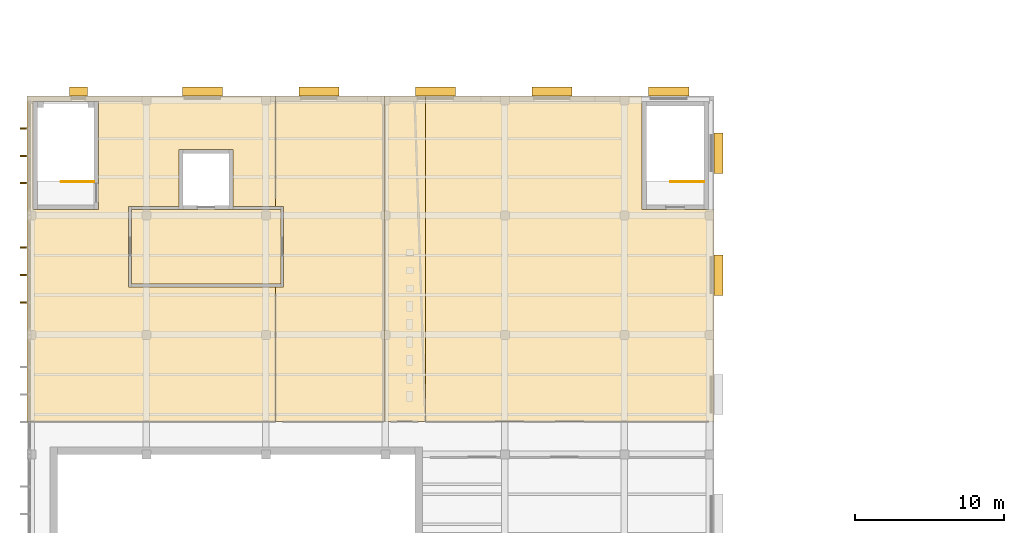
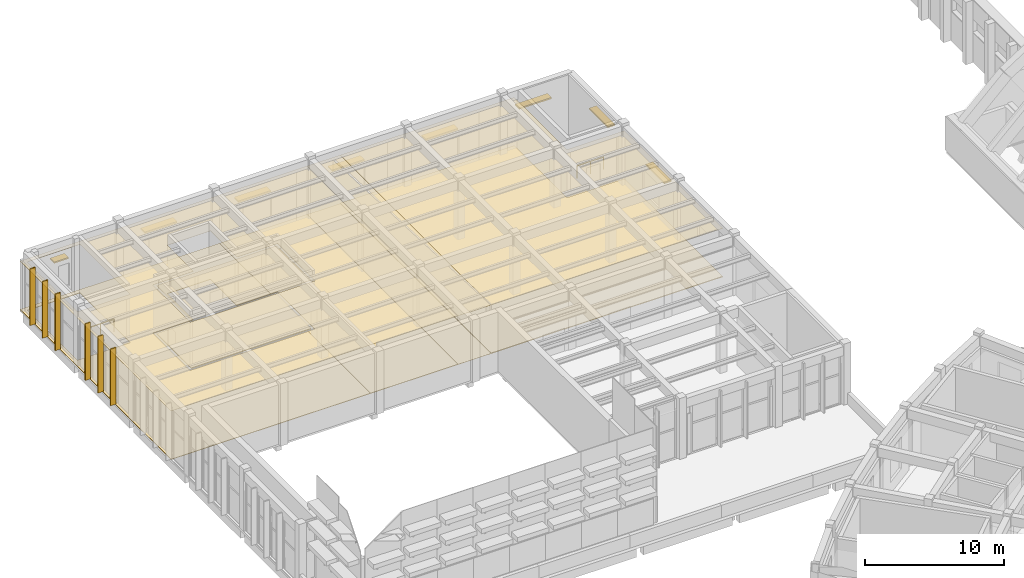
# One storey, part 87 of 94: 14 shading devices, 10 coverings, 2 railings.
"""IFC4 building model written with IfcOpenShell, lengths in metres."""

from ifc_helpers import new_model, si_unit, direction, frame, origin, origin_2d, place, context, subcontext, project, spatial, polyline, rectangle, circle, outline, extrude, material, layer, layer_set, type_object, element, save


model = new_model("IFC4")

# Units and contexts
model_context = context("Model", 3, precision=1e-05, world=origin(), true_north=direction((0.0, 1.0)))
body_context = subcontext(model_context, "Body", "Model", "MODEL_VIEW")
ifc_project = project(units=[si_unit("LENGTHUNIT", "METRE"), si_unit("AREAUNIT", "SQUARE_METRE"), si_unit("VOLUMEUNIT", "CUBIC_METRE"), si_unit("PLANEANGLEUNIT", "RADIAN"), si_unit("MASSUNIT", "GRAM", prefix="KILO")], contexts=[model_context])

# Site, building, storey
site_placement = place(None, origin())
site = spatial("IfcSite", under=ifc_project, at=site_placement, CompositionType="ELEMENT")
building_placement = place(site_placement, origin())
building = spatial("IfcBuilding", under=site, at=building_placement, Name="Lunette Opera House", CompositionType="ELEMENT")
storey_placement = place(building_placement, frame((0.0, 0.0, 22.5)))
storey = spatial("IfcBuildingStorey", under=building, at=storey_placement, Name="L04", CompositionType="ELEMENT", Elevation=22.5)

# Shading devices
ifc_material_1 = material(Name="Powder-coated aluminium", Category="aluminium")
shading_device_type_1 = type_object("IfcShadingDeviceType", Name="SOLAR FIN 100 X 450", PredefinedType="USERDEFINED", material=ifc_material_1)
for number, where, z_axis, x_axis, name in (
    (1, (7.76708984375, 109.80908203125, 0.115234375), (0.0, 0.0, 1.0), (-1.0, 0.0, 0.0), "Solar fin RW-X2061 1"),
    (2, (7.76708984375, 107.98291015625, 0.115234375), (0.0, 0.0, 1.0), (-1.0, 0.0, 0.0), "Solar fin RW-X2061 2"),
    (3, (7.76708984375, 106.156005859375, 0.115234375), (0.0, 0.0, 1.0), (-1.0, 0.0, 0.0), "Solar fin RW-X2061 3"),
    (4, (7.76708984375, 101.8349609375, 0.115234375), (0.0, 0.0, 1.0), (-1.0, 0.0, 0.0), "Solar fin RW-X2062 1"),
    (5, (7.76708984375, 100.0, 0.115234375), (0.0, 0.0, 1.0), (-1.0, 0.0, 0.0), "Solar fin RW-X2062 2"),
    (6, (7.76708984375, 98.1650390625, 0.115234375), (0.0, 0.0, 1.0), (-1.0, 0.0, 0.0), "Solar fin RW-X2062 3"),
):
    element("IfcShadingDevice", number, at=place(storey_placement, frame(where, z_axis=z_axis, x_axis=x_axis)), inside=storey, type_object=shading_device_type_1, Name=name, ObjectType="SOLAR FIN", PredefinedType="USERDEFINED", context=body_context, shape_type="SweptSolid", body=[
        extrude(rectangle(XDim=0.449951171875, YDim=0.10009765625, at=origin_2d()), origin(), (0.0, 0.0, 1.0), 4.985107421875),
    ])

# Railings
ifc_material_2 = material(Name="Steel S355", Category="steel")
railing_type = type_object("IfcRailingType", Name="STAIR GUARD 1100", PredefinedType="GUARDRAIL", material=ifc_material_2)
railing_1_placement = place(storey_placement, frame((12.5, 106.25, 0.0)))
element("IfcRailing", 7, at=railing_1_placement, inside=storey, type_object=railing_type, Name="L04 ST15 top well guard 1", PredefinedType="GUARDRAIL", context=body_context, shape_type="SweptSolid", body=[
    extrude(circle(Radius=0.02392578125, at=origin_2d()), frame((0.0, 0.0, 1.076171875), z_axis=(-1.0, 0.0, 0.0), x_axis=(0.0, -1.0, 0.0)), (0.0, 0.0, 1.0), 2.199951171875),
    extrude(circle(Radius=0.02099609375, at=origin_2d()), origin(), (0.0, 0.0, 1.0), 1.052001953125),
    extrude(circle(Radius=0.02099609375, at=origin_2d()), frame((-1.10009765625, 0.0, 0.0)), (0.0, 0.0, 1.0), 1.052001953125),
    extrude(circle(Radius=0.02099609375, at=origin_2d()), frame((-2.199951171875, 0.0, 0.0)), (0.0, 0.0, 1.0), 1.052001953125),
])
railing_2_placement = place(storey_placement, frame((53.3349609375, 106.25, 0.0)))
element("IfcRailing", 8, at=railing_2_placement, inside=storey, type_object=railing_type, Name="L04 ST17 top well guard 1", PredefinedType="GUARDRAIL", context=body_context, shape_type="SweptSolid", body=[
    extrude(circle(Radius=0.02392578125, at=origin_2d()), frame((0.0, 0.0, 1.076171875), z_axis=(-1.0, 0.0, 0.0), x_axis=(0.0, -1.0, 0.0)), (0.0, 0.0, 1.0), 2.23486328125),
    extrude(circle(Radius=0.02099609375, at=origin_2d()), origin(), (0.0, 0.0, 1.0), 1.052001953125),
    extrude(circle(Radius=0.02099609375, at=origin_2d()), frame((-1.117431640625, 0.0, 0.0)), (0.0, 0.0, 1.0), 1.052001953125),
    extrude(circle(Radius=0.02099609375, at=origin_2d()), frame((-2.23486328125, 0.0, 0.0)), (0.0, 0.0, 1.0), 1.052001953125),
])

# Coverings
ifc_material_3 = material(Name="Mineral fibre board")
ifc_layer_1 = layer(ifc_material_3, 0.014892578125)
ifc_layer_set_1 = layer_set([ifc_layer_1], Name="Mineral fibre board")
covering_type_1 = type_object("IfcCoveringType", Name="SUSPENDED ACOUSTIC CEILING 15", PredefinedType="CEILING", material=ifc_layer_set_1)
covering_1_placement = place(storey_placement, frame((0.0, 0.0, 4.284912109375)))
element("IfcCovering", 9, at=covering_1_placement, inside=storey, type_object=covering_type_1, Name="Ceiling Lift Lobby L04 Rehearsal", PredefinedType="CEILING", context=body_context, shape_type="SweptSolid", body=[
    extrude(outline(polyline([(25.0, 99.39990234375), (25.0, 104.39990234375), (15.0, 104.39990234375), (15.0, 99.39990234375), (25.0, 99.39990234375)])), origin(), (0.0, 0.0, 1.0), 0.01513671875),
])
covering_2_placement = place(storey_placement, frame((0.0, 0.0, 4.284912109375)))
element("IfcCovering", 10, at=covering_2_placement, inside=storey, type_object=covering_type_1, Name="Ceiling Ballet Studio 4", PredefinedType="CEILING", context=body_context, shape_type="SweptSolid", body=[
    extrude(outline(polyline([(8.0, 112.0), (24.634033203125, 112.0), (24.634033203125, 104.60009765625), (21.800048828125, 104.60009765625), (21.800048828125, 108.39990234375), (18.199951171875, 108.39990234375), (18.199951171875, 104.60009765625), (14.800048828125, 104.60009765625), (14.800048828125, 99.199951171875), (24.634033203125, 99.199951171875), (24.634033203125, 90.199951171875), (8.0, 90.199951171875), (8.0, 112.0)]), holes=[polyline([(8.39990234375, 104.39990234375), (12.800048828125, 104.39990234375), (12.800048828125, 111.635009765625), (8.39990234375, 111.635009765625), (8.39990234375, 104.39990234375)])]), origin(), (0.0, 0.0, 1.0), 0.01513671875),
])
covering_3_placement = place(storey_placement, frame((0.0, 0.0, 4.284912109375)))
element("IfcCovering", 11, at=covering_3_placement, inside=storey, type_object=covering_type_1, Name="Ceiling Chorus Master Rooms", PredefinedType="CEILING", context=body_context, shape_type="SweptSolid", body=[
    extrude(outline(polyline([(24.634033203125, 90.199951171875), (24.634033203125, 99.199951171875), (25.199951171875, 99.199951171875), (25.199951171875, 104.60009765625), (24.634033203125, 104.60009765625), (24.634033203125, 112.0), (31.930908203125, 112.0), (31.930908203125, 90.199951171875), (24.634033203125, 90.199951171875)])), origin(), (0.0, 0.0, 1.0), 0.01513671875),
])
covering_4_placement = place(storey_placement, frame((0.0, 0.0, 4.284912109375)))
element("IfcCovering", 12, at=covering_4_placement, inside=storey, type_object=covering_type_1, Name="Ceiling Rehearsal Wing WC L04", PredefinedType="CEILING", context=body_context, shape_type="SweptSolid", body=[
    extrude(outline(polyline([(31.930908203125, 90.199951171875), (31.930908203125, 112.0), (34.68408203125, 112.0), (34.68408203125, 90.199951171875), (31.930908203125, 90.199951171875)])), origin(), (0.0, 0.0, 1.0), 0.01513671875),
])
covering_5_placement = place(storey_placement, frame((0.0, 0.0, 4.284912109375)))
element("IfcCovering", 13, at=covering_5_placement, inside=storey, type_object=covering_type_1, Name="Ceiling Dancers' Warm-up Hall", PredefinedType="CEILING", context=body_context, shape_type="SweptSolid", body=[
    extrude(outline(polyline([(49.198974609375, 112.0), (49.198974609375, 111.633056640625), (49.199951171875, 111.633056640625), (49.199951171875, 104.39990234375), (53.633056640625, 104.39990234375), (53.633056640625, 104.39892578125), (54.0, 104.39892578125), (54.0, 90.199951171875), (34.68408203125, 90.199951171875), (34.68408203125, 112.0), (49.198974609375, 112.0)])), origin(), (0.0, 0.0, 1.0), 0.01513671875),
])
ifc_material_4 = material(Name="Terrazzo")
ifc_layer_2 = layer(ifc_material_4, 0.06005859375)
ifc_layer_set_2 = layer_set([ifc_layer_2], Name="Terrazzo")
covering_type_2 = type_object("IfcCoveringType", Name="TERRAZZO FLOOR FINISH 60", PredefinedType="FLOORING", material=ifc_layer_set_2)
covering_6_placement = place(storey_placement, origin())
element("IfcCovering", 14, at=covering_6_placement, inside=storey, type_object=covering_type_2, Name="Floor finish Lift Lobby L04 Rehearsal", PredefinedType="FLOORING", context=body_context, shape_type="SweptSolid", body=[
    extrude(outline(polyline([(25.0, 99.39990234375), (25.0, 104.39990234375), (15.0, 104.39990234375), (15.0, 99.39990234375), (25.0, 99.39990234375)])), origin(), (0.0, 0.0, 1.0), 0.06005859375),
])
covering_7_placement = place(storey_placement, origin())
element("IfcCovering", 15, at=covering_7_placement, inside=storey, type_object=covering_type_2, Name="Floor finish Dancers' Warm-up Hall", PredefinedType="FLOORING", context=body_context, shape_type="SweptSolid", body=[
    extrude(outline(polyline([(49.198974609375, 112.0), (49.198974609375, 111.633056640625), (49.199951171875, 111.633056640625), (49.199951171875, 104.39990234375), (53.633056640625, 104.39990234375), (53.633056640625, 104.39892578125), (54.0, 104.39892578125), (54.0, 90.199951171875), (34.68408203125, 90.199951171875), (34.68408203125, 112.0), (49.198974609375, 112.0)])), origin(), (0.0, 0.0, 1.0), 0.06005859375),
])
ifc_material_5 = material(Name="Ceramic tile")
ifc_layer_3 = layer(ifc_material_5, 0.02490234375)
ifc_layer_set_3 = layer_set([ifc_layer_3], Name="Ceramic tile")
covering_type_3 = type_object("IfcCoveringType", Name="TILED FLOOR FINISH 25", PredefinedType="FLOORING", material=ifc_layer_set_3)
covering_8_placement = place(storey_placement, origin())
element("IfcCovering", 16, at=covering_8_placement, inside=storey, type_object=covering_type_3, Name="Floor finish Rehearsal Wing WC L04", PredefinedType="FLOORING", context=body_context, shape_type="SweptSolid", body=[
    extrude(outline(polyline([(31.930908203125, 90.199951171875), (31.930908203125, 112.0), (34.68408203125, 112.0), (34.68408203125, 90.199951171875), (31.930908203125, 90.199951171875)])), origin(), (0.0, 0.0, 1.0), 0.02490234375),
])
ifc_material_6 = material(Name="Timber", Category="wood")
ifc_layer_4 = layer(ifc_material_6, 0.0400390625)
ifc_layer_set_4 = layer_set([ifc_layer_4], Name="Timber")
covering_type_4 = type_object("IfcCoveringType", Name="TIMBER FLOOR FINISH 40", PredefinedType="FLOORING", material=ifc_layer_set_4)
covering_9_placement = place(storey_placement, origin())
element("IfcCovering", 17, at=covering_9_placement, inside=storey, type_object=covering_type_4, Name="Floor finish Ballet Studio 4", PredefinedType="FLOORING", context=body_context, shape_type="SweptSolid", body=[
    extrude(outline(polyline([(8.0, 112.0), (24.634033203125, 112.0), (24.634033203125, 104.60009765625), (21.800048828125, 104.60009765625), (21.800048828125, 108.39990234375), (18.199951171875, 108.39990234375), (18.199951171875, 104.60009765625), (14.800048828125, 104.60009765625), (14.800048828125, 99.199951171875), (24.634033203125, 99.199951171875), (24.634033203125, 90.199951171875), (8.0, 90.199951171875), (8.0, 112.0)]), holes=[polyline([(8.39990234375, 104.39990234375), (12.800048828125, 104.39990234375), (12.800048828125, 111.635009765625), (8.39990234375, 111.635009765625), (8.39990234375, 104.39990234375)])]), origin(), (0.0, 0.0, 1.0), 0.0400390625),
])
covering_10_placement = place(storey_placement, origin())
element("IfcCovering", 18, at=covering_10_placement, inside=storey, type_object=covering_type_4, Name="Floor finish Chorus Master Rooms", PredefinedType="FLOORING", context=body_context, shape_type="SweptSolid", body=[
    extrude(outline(polyline([(24.634033203125, 90.199951171875), (24.634033203125, 99.199951171875), (25.199951171875, 99.199951171875), (25.199951171875, 104.60009765625), (24.634033203125, 104.60009765625), (24.634033203125, 112.0), (31.930908203125, 112.0), (31.930908203125, 90.199951171875), (24.634033203125, 90.199951171875)])), origin(), (0.0, 0.0, 1.0), 0.0400390625),
])

# Shading devices
ifc_material_7 = material(Name="Powder-coated aluminium", Category="aluminium")
ifc_layer_5 = layer(ifc_material_7, 0.1201171875)
ifc_layer_set_5 = layer_set([ifc_layer_5], Name="Powder-coated aluminium")
shading_device_type_2 = type_object("IfcShadingDeviceType", Name="WINDOW HOOD 600 X 1200", PredefinedType="USERDEFINED", material=ifc_layer_set_5)
shading_device_placement = place(storey_placement, frame((11.450927734375, 112.299072265625, 3.079833984375), z_axis=(0.0, 0.0, 1.0), x_axis=(0.0, 1.0, 0.0)))
element("IfcShadingDevice", 19, at=shading_device_placement, inside=storey, type_object=shading_device_type_2, Name="Window hood RW-N2064", ObjectType="WINDOW HOOD", PredefinedType="USERDEFINED", context=body_context, shape_type="SweptSolid", body=[
    extrude(rectangle(XDim=0.60009765625, YDim=1.199951171875, at=origin_2d()), origin(), (0.0, 0.0, 1.0), 0.1201171875),
])
ifc_material_8 = material(Name="Powder-coated aluminium", Category="aluminium")
ifc_layer_6 = layer(ifc_material_8, 0.1201171875)
ifc_layer_set_6 = layer_set([ifc_layer_6], Name="Powder-coated aluminium")
shading_device_type_3 = type_object("IfcShadingDeviceType", Name="WINDOW HOOD 600 X 2700", PredefinedType="USERDEFINED", material=ifc_layer_set_6)
for number, where, z_axis, x_axis, name in (
    (20, (54.300048828125, 100.0, 3.079833984375), (0.0, 0.0, 1.0), (1.0, 0.0, 0.0), "Window hood RW-N2052"),
    (21, (54.300048828125, 108.14990234375, 3.079833984375), (0.0, 0.0, 1.0), (1.0, 0.0, 0.0), "Window hood RW-N2053"),
    (22, (50.967041015625, 112.299072265625, 3.079833984375), (0.0, 0.0, 1.0), (0.0, 1.0, 0.0), "Window hood RW-N2054"),
    (23, (43.1640625, 112.299072265625, 3.079833984375), (0.0, 0.0, 1.0), (0.0, 1.0, 0.0), "Window hood RW-N2055"),
    (24, (35.361083984375, 112.299072265625, 3.079833984375), (0.0, 0.0, 1.0), (0.0, 1.0, 0.0), "Window hood RW-N2056"),
    (25, (27.55810546875, 112.299072265625, 3.079833984375), (0.0, 0.0, 1.0), (0.0, 1.0, 0.0), "Window hood RW-N2057"),
    (26, (19.756103515625, 112.299072265625, 3.079833984375), (0.0, 0.0, 1.0), (0.0, 1.0, 0.0), "Window hood RW-N2058"),
):
    element("IfcShadingDevice", number, at=place(storey_placement, frame(where, z_axis=z_axis, x_axis=x_axis)), inside=storey, type_object=shading_device_type_3, Name=name, ObjectType="WINDOW HOOD", PredefinedType="USERDEFINED", context=body_context, shape_type="SweptSolid", body=[
        extrude(rectangle(XDim=0.60009765625, YDim=2.699951171875, at=origin_2d()), origin(), (0.0, 0.0, 1.0), 0.1201171875),
    ])

save(model, "model.ifc")
